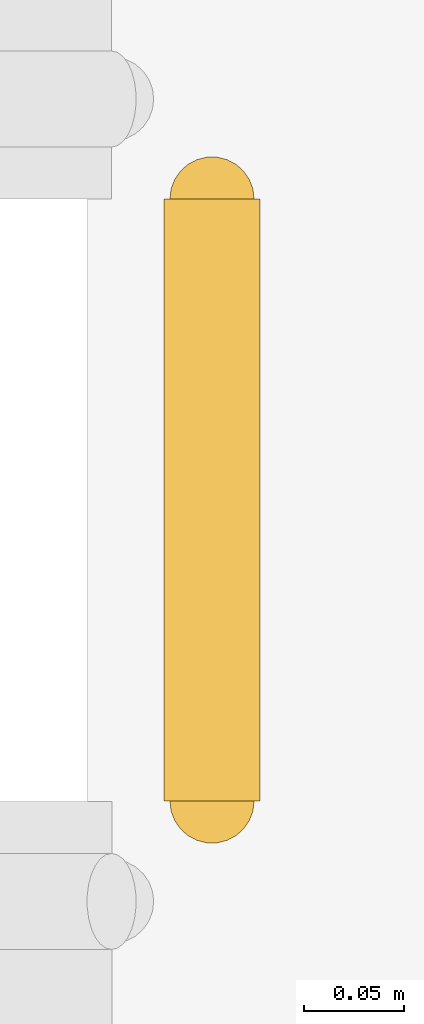
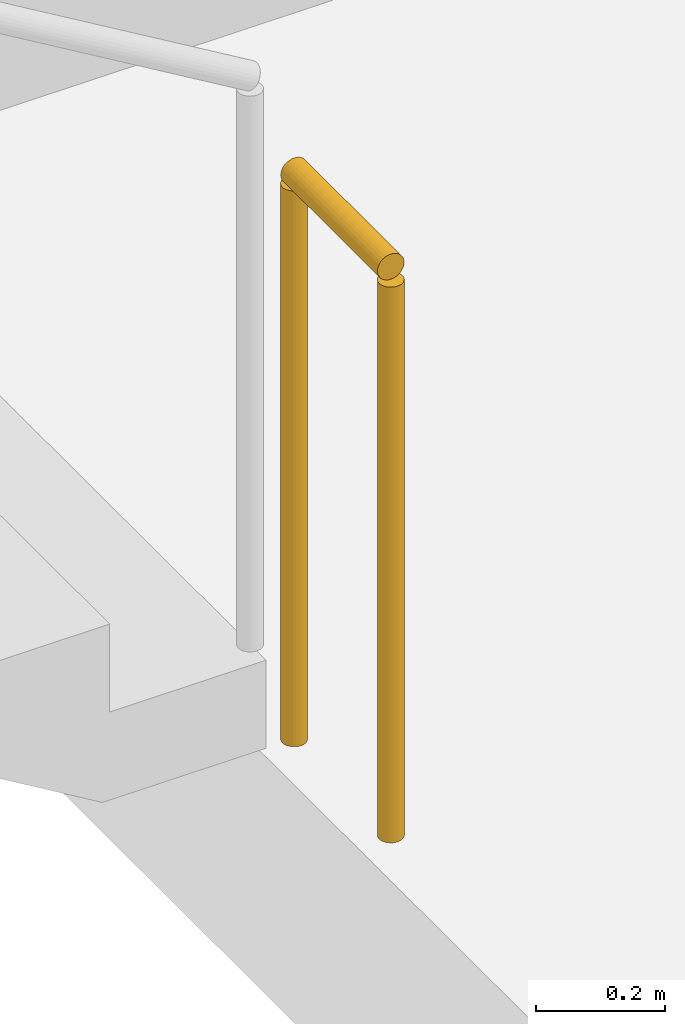
# One storey, part 37 of 37: 1 railing.
"""IFC4 building model written with IfcOpenShell, lengths in metres."""

from ifc_helpers import new_model, si_unit, direction, frame, origin, origin_2d, place, context, subcontext, project, spatial, circle, extrude, material, type_object, element, save


model = new_model("IFC4")

# Units and contexts
model_context = context("Model", 3, precision=1e-05, world=origin(), true_north=direction((0.0, 1.0)))
body_context = subcontext(model_context, "Body", "Model", "MODEL_VIEW")
ifc_project = project(units=[si_unit("LENGTHUNIT", "METRE"), si_unit("AREAUNIT", "SQUARE_METRE"), si_unit("VOLUMEUNIT", "CUBIC_METRE"), si_unit("PLANEANGLEUNIT", "RADIAN"), si_unit("MASSUNIT", "GRAM", prefix="KILO")], contexts=[model_context])

# Site, building, storey
site_placement = place(None, origin())
site = spatial("IfcSite", under=ifc_project, at=site_placement, CompositionType="ELEMENT")
building_placement = place(site_placement, origin())
building = spatial("IfcBuilding", under=site, at=building_placement, Name="Tamarind Cross Interchange Tower", CompositionType="ELEMENT")
storey_placement = place(building_placement, frame((0.0, 0.0, -7.0)))
storey = spatial("IfcBuildingStorey", under=building, at=storey_placement, Name="B1", CompositionType="ELEMENT", Elevation=-7.0)

# Railing
ifc_material = material(Name="Public stair guard")
railing_type = type_object("IfcRailingType", Name="Public stair guard", PredefinedType="GUARDRAIL", material=ifc_material)
railing_placement = place(storey_placement, frame((61.25, 44.60009765625, 0.0)))
element("IfcRailing", 1, at=railing_placement, inside=storey, type_object=railing_type, Name="B1 XS-P02 stair guard 4", PredefinedType="GUARDRAIL", context=body_context, shape_type="SweptSolid", body=[
    extrude(circle(Radius=0.02392578125, at=origin_2d()), frame((0.0, 0.0, 1.076171875), z_axis=(0.0, -1.0, 0.0), x_axis=(1.0, 0.0, 0.0)), (0.0, 0.0, 1.0), 0.300048828125),
    extrude(circle(Radius=0.02099609375, at=origin_2d()), origin(), (0.0, 0.0, 1.0), 1.052001953125),
    extrude(circle(Radius=0.02099609375, at=origin_2d()), frame((0.0, -0.300048828125, 0.0)), (0.0, 0.0, 1.0), 1.052001953125),
])

save(model, "model.ifc")
